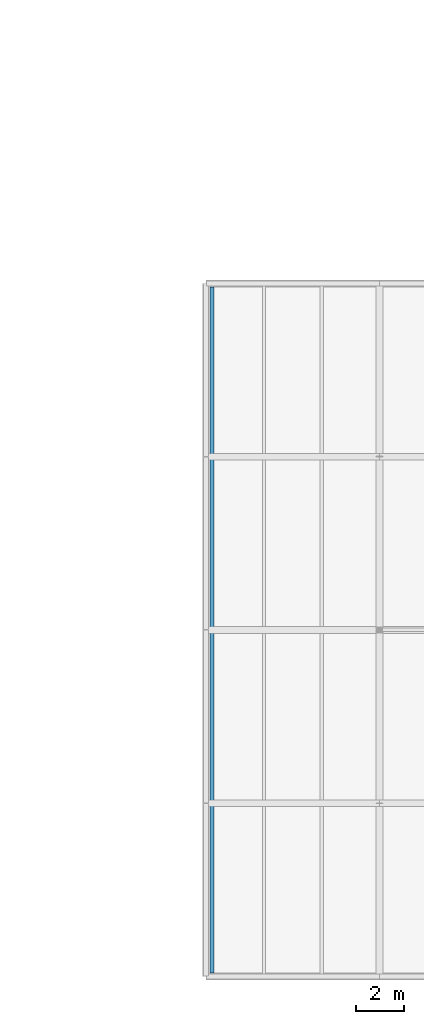
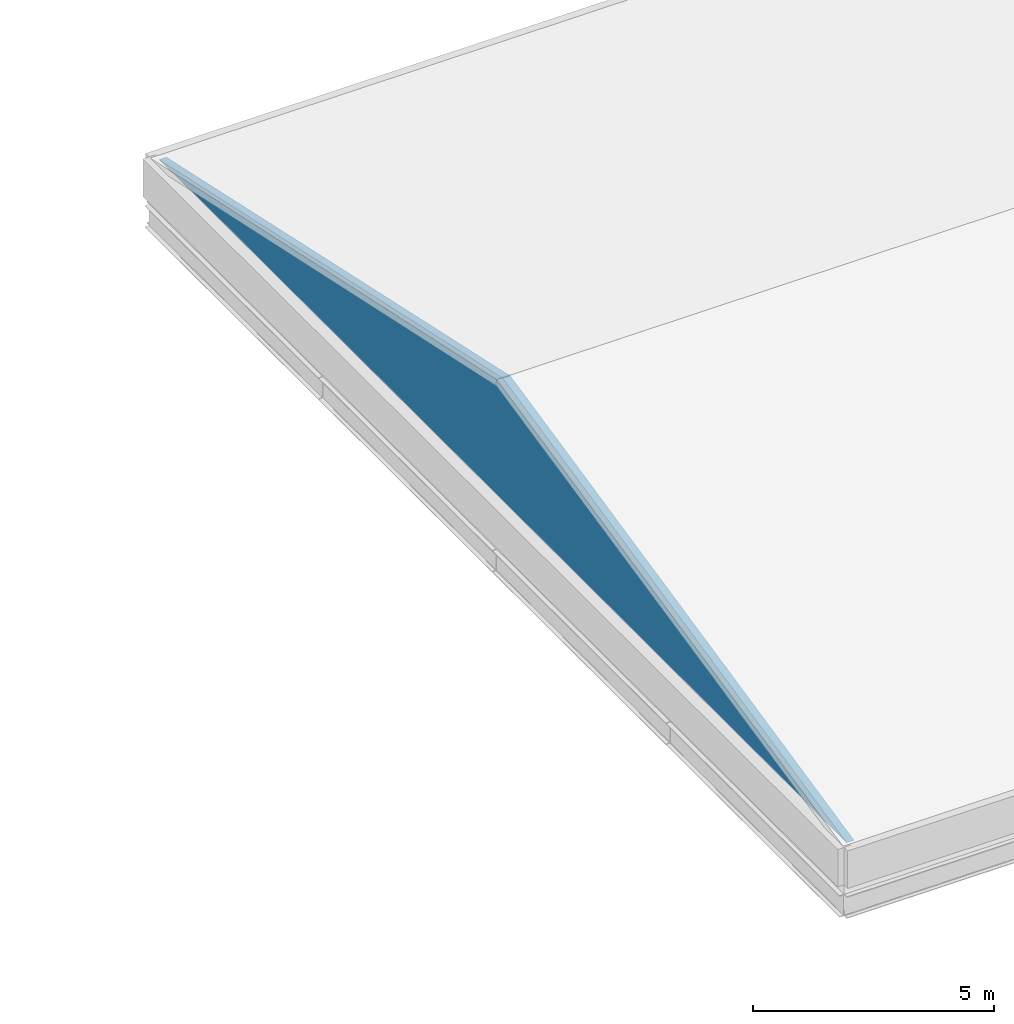
# One storey, part 25 of 66: 1 plate.
"""IFC4 building model written with IfcOpenShell, lengths in metres."""

from ifc_helpers import new_model, si_unit, direction, frame, origin, place, context, subcontext, project, spatial, polyline, outline, extrude, material, layer, layer_set, type_object, element, save


model = new_model("IFC4")

# Units and contexts
model_context = context("Model", 3, precision=1e-05, world=origin(), true_north=direction((0.0, 1.0)))
body_context = subcontext(model_context, "Body", "Model", "MODEL_VIEW")
ifc_project = project(units=[si_unit("LENGTHUNIT", "METRE"), si_unit("AREAUNIT", "SQUARE_METRE"), si_unit("VOLUMEUNIT", "CUBIC_METRE"), si_unit("PLANEANGLEUNIT", "RADIAN"), si_unit("MASSUNIT", "GRAM", prefix="KILO")], contexts=[model_context])

# Site, building, storey
site_placement = place(None, origin())
site = spatial("IfcSite", under=ifc_project, at=site_placement, CompositionType="ELEMENT")
building_placement = place(site_placement, origin())
building = spatial("IfcBuilding", under=site, at=building_placement, Name="Narikvali Park Central Library", CompositionType="ELEMENT")
storey_placement = place(building_placement, frame((0.0, 0.0, 18.60009765625)))
storey = spatial("IfcBuildingStorey", under=building, at=storey_placement, Name="L04", CompositionType="ELEMENT", Elevation=18.60009765625)

# Plate
ifc_material = material(Name="White Honed Limestone Cladding", Category="masonry")
ifc_layer = layer(ifc_material, 0.179931640625, Name="White Honed Limestone Cladding")
ifc_layer_set = layer_set([ifc_layer], Name="White Honed Limestone Cladding")
plate_type = type_object("IfcPlateType", Name="Classical Limestone Gable Tympanum 180", PredefinedType="SHEET", material=ifc_layer_set)
plate_placement = place(storey_placement, frame((122.550048828125, 28.64990234375, 0.919921875), z_axis=(-1.0, 0.0, 0.0), x_axis=(0.0, -1.0, 0.0)))
element("IfcPlate", 1, at=plate_placement, inside=storey, type_object=plate_type, Name="V6 L04 Classical Gable Pediment Tympanum W", PredefinedType="SHEET", context=body_context, shape_type="SweptSolid", body=[
    extrude(outline(polyline([(0.0, 0.0), (28.5, 0.0), (14.25, 3.10986328125), (0.0, 0.0)])), origin(), (0.0, 0.0, -1.0), 0.179931640625),
])

save(model, "model.ifc")
